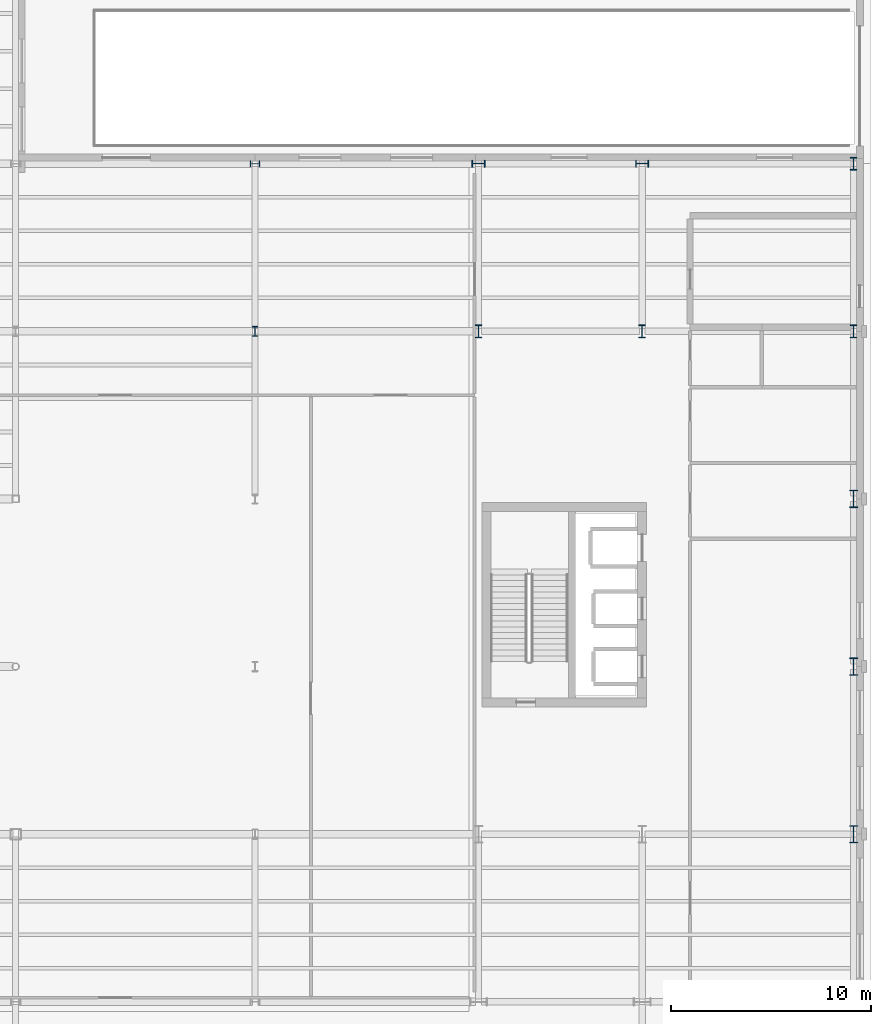
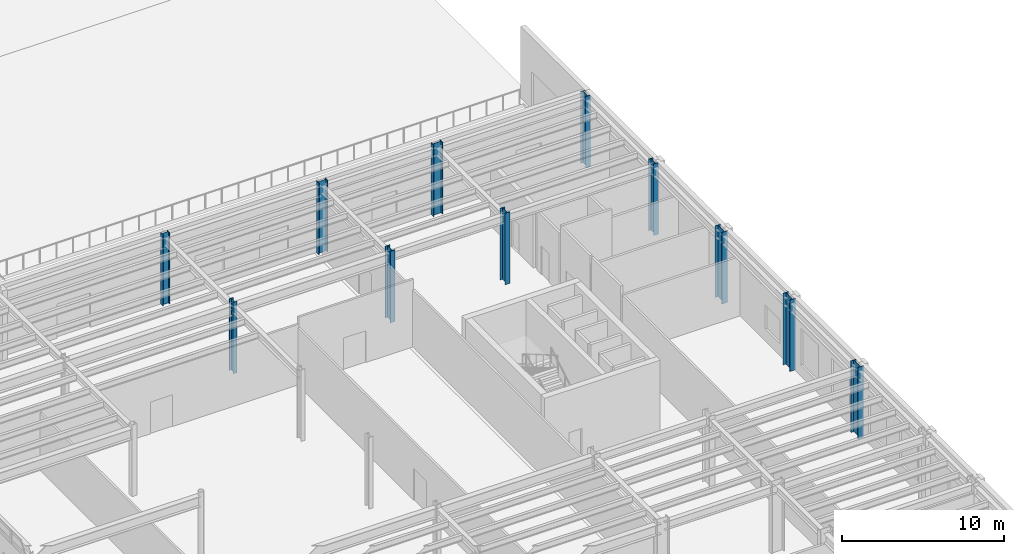
# One storey, part 15 of 94: 11 columns.
"""IFC4 building model written with IfcOpenShell, lengths in metres."""

from ifc_helpers import new_model, si_unit, direction, frame, origin, origin_2d, place, context, subcontext, project, spatial, i_section, extrude, material, material_profile, profile_set, type_object, element, save


model = new_model("IFC4")

# Units and contexts
model_context = context("Model", 3, precision=1e-05, world=origin(), true_north=direction((0.0, 1.0)))
body_context = subcontext(model_context, "Body", "Model", "MODEL_VIEW")
ifc_project = project(units=[si_unit("LENGTHUNIT", "METRE"), si_unit("AREAUNIT", "SQUARE_METRE"), si_unit("VOLUMEUNIT", "CUBIC_METRE"), si_unit("PLANEANGLEUNIT", "RADIAN"), si_unit("MASSUNIT", "GRAM", prefix="KILO")], contexts=[model_context])

# Site, building, storey
site_placement = place(None, origin())
site = spatial("IfcSite", under=ifc_project, at=site_placement, CompositionType="ELEMENT")
building_placement = place(site_placement, origin())
building = spatial("IfcBuilding", under=site, at=building_placement, Name="Sollismere Congress Hotel", CompositionType="ELEMENT")
storey_placement = place(building_placement, origin())
storey = spatial("IfcBuildingStorey", under=building, at=storey_placement, Name="L00", CompositionType="ELEMENT", Elevation=0.0)

# Columns
ifc_material = material(Name="Steel ASTM A992 Grade 50", Category="steel")
ifc_material_profile_1 = material_profile(ifc_material, i_section(OverallWidth=0.283935546875, OverallDepth=0.4951171875, WebThickness=0.0185546875, FlangeThickness=0.033447265625, at=origin_2d()), Name="W18X143")
ifc_profile_set_1 = profile_set([ifc_material_profile_1], Name="Steel ASTM A992 Grade 50")
column_type_1 = type_object("IfcColumnType", Name="COL-W18", PredefinedType="COLUMN", material=ifc_profile_set_1)
for number, where, z_axis, x_axis, name in (
    (1, (136.0, 58.39990234375, 0.0), (0.0, 0.0, 1.0), (1.0, 0.0, 0.0), "Column CL-L00-769"),
    (2, (136.0, 66.800048828125, 0.0), (0.0, 0.0, 1.0), (0.0, 1.0, 0.0), "Column CL-L00-773"),
):
    element("IfcColumn", number, at=place(storey_placement, frame(where, z_axis=z_axis, x_axis=x_axis)), inside=storey, type_object=column_type_1, Name=name, PredefinedType="COLUMN", context=body_context, shape_type="SweptSolid", body=[
        extrude(i_section(OverallWidth=0.283935546875, OverallDepth=0.4951171875, WebThickness=0.0185546875, FlangeThickness=0.033447265625, at=origin_2d()), origin(), (0.0, 0.0, 1.0), 5.39990234375),
    ])
ifc_material_profile_2 = material_profile(ifc_material, i_section(OverallWidth=0.3330078125, OverallDepth=0.659912109375, WebThickness=0.0244140625, FlangeThickness=0.0439453125, at=origin_2d()), Name="W24X229")
ifc_profile_set_2 = profile_set([ifc_material_profile_2], Name="Steel ASTM A992 Grade 50")
column_type_2 = type_object("IfcColumnType", Name="COL-W24", PredefinedType="COLUMN", material=ifc_profile_set_2)
for number, where, z_axis, x_axis, name in (
    (3, (147.199951171875, 58.39990234375, 0.0), (0.0, 0.0, 1.0), (1.0, 0.0, 0.0), "Column CL-L00-833"),
    (4, (147.199951171875, 66.800048828125, 0.0), (0.0, 0.0, 1.0), (0.0, 1.0, 0.0), "Column CL-L00-842"),
    (5, (155.39990234375, 58.39990234375, 0.0), (0.0, 0.0, 1.0), (1.0, 0.0, 0.0), "Column CL-L00-921"),
    (6, (155.39990234375, 66.800048828125, 0.0), (0.0, 0.0, 1.0), (0.0, 1.0, 0.0), "Column CL-L00-930"),
    (7, (166.0, 58.39990234375, 0.0), (0.0, 0.0, 1.0), (1.0, 0.0, 0.0), "Column CL-L00-1035"),
    (8, (166.0, 66.800048828125, 0.0), (0.0, 0.0, 1.0), (1.0, 0.0, 0.0), "Column CL-L00-1044"),
):
    element("IfcColumn", number, at=place(storey_placement, frame(where, z_axis=z_axis, x_axis=x_axis)), inside=storey, type_object=column_type_2, Name=name, PredefinedType="COLUMN", context=body_context, shape_type="SweptSolid", body=[
        extrude(i_section(OverallWidth=0.3330078125, OverallDepth=0.659912109375, WebThickness=0.0244140625, FlangeThickness=0.0439453125, at=origin_2d()), origin(), (0.0, 0.0, 1.0), 5.39990234375),
    ])
ifc_material_profile_3 = material_profile(ifc_material, i_section(OverallWidth=0.404052734375, OverallDepth=0.868896484375, WebThickness=0.02099609375, FlangeThickness=0.03564453125, at=origin_2d()), Name="W33X241")
ifc_profile_set_3 = profile_set([ifc_material_profile_3], Name="Steel ASTM A992 Grade 50")
column_type_3 = type_object("IfcColumnType", Name="COL-W33", PredefinedType="COLUMN", material=ifc_profile_set_3)
for number, where, z_axis, x_axis, name in (
    (9, (166.0, 33.199951171875, 0.0), (0.0, 0.0, 1.0), (1.0, 0.0, 0.0), "Column CL-L00-996"),
    (10, (166.0, 41.60009765625, 0.0), (0.0, 0.0, 1.0), (1.0, 0.0, 0.0), "Column CL-L00-1009"),
    (11, (166.0, 50.0, 0.0), (0.0, 0.0, 1.0), (1.0, 0.0, 0.0), "Column CL-L00-1022"),
):
    element("IfcColumn", number, at=place(storey_placement, frame(where, z_axis=z_axis, x_axis=x_axis)), inside=storey, type_object=column_type_3, Name=name, PredefinedType="COLUMN", context=body_context, shape_type="SweptSolid", body=[
        extrude(i_section(OverallWidth=0.404052734375, OverallDepth=0.868896484375, WebThickness=0.02099609375, FlangeThickness=0.03564453125, at=origin_2d()), origin(), (0.0, 0.0, 1.0), 5.39990234375),
    ])

save(model, "model.ifc")
